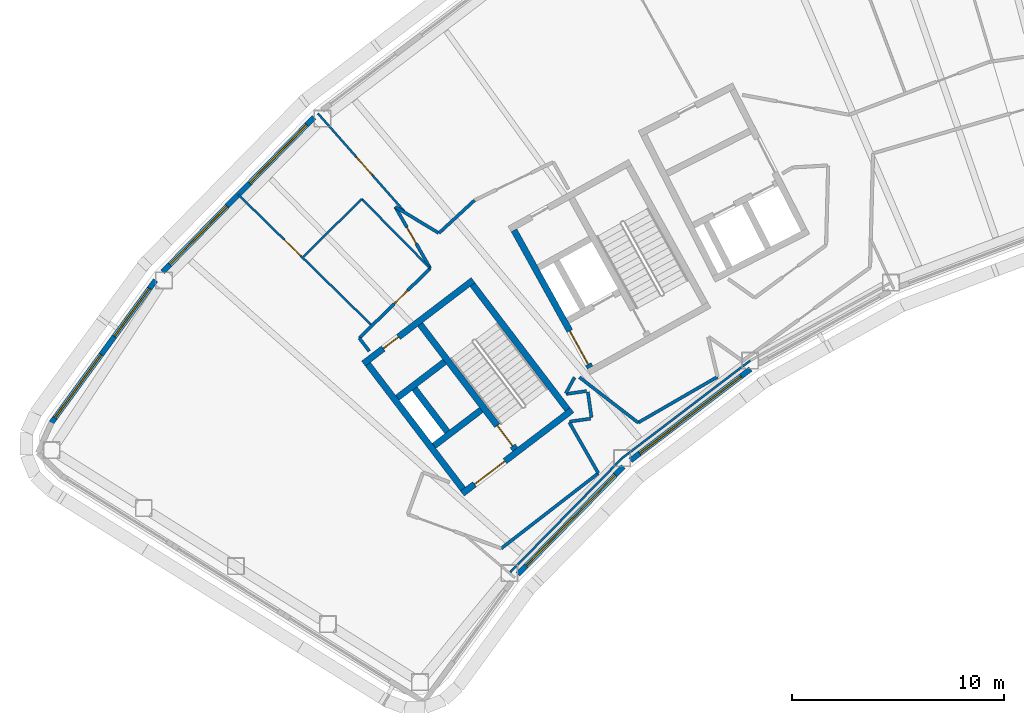
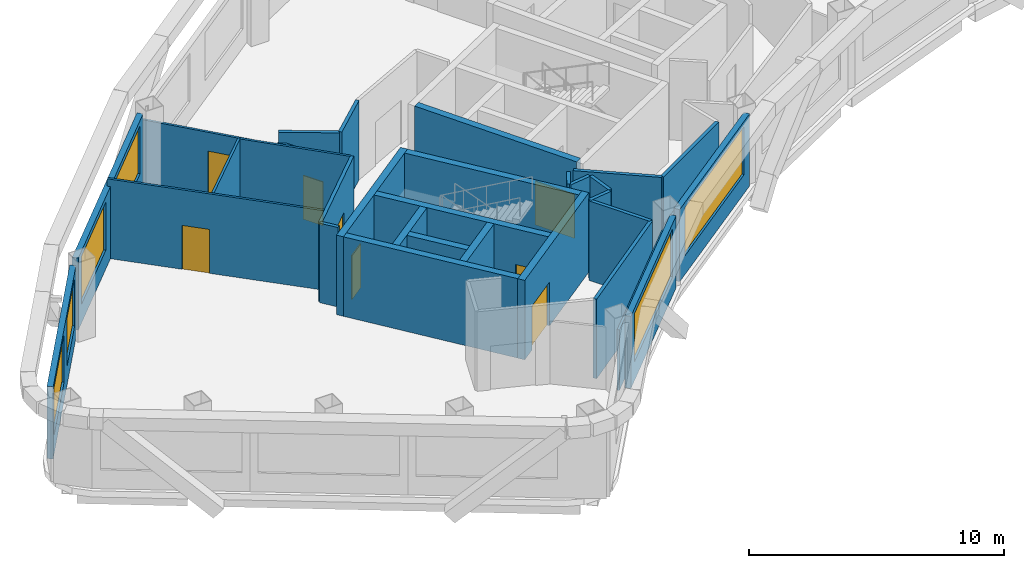
# One storey, part 5 of 18: 32 walls, 8 doors, 6 windows, 14 openings.
"""IFC4 building model written with IfcOpenShell, lengths in metres."""

from ifc_helpers import new_model, si_unit, direction, frame, frame_2d, origin, place, context, subcontext, project, spatial, rectangle, extrude, material, layer, layer_set, type_object, element, fill, save


model = new_model("IFC4")

# Units and contexts
model_context = context("Model", 3, precision=1e-05, world=origin(), true_north=direction((0.0, 1.0)))
body_context = subcontext(model_context, "Body", "Model", "MODEL_VIEW")
ifc_project = project(units=[si_unit("LENGTHUNIT", "METRE"), si_unit("AREAUNIT", "SQUARE_METRE"), si_unit("VOLUMEUNIT", "CUBIC_METRE"), si_unit("PLANEANGLEUNIT", "RADIAN"), si_unit("MASSUNIT", "GRAM", prefix="KILO")], contexts=[model_context])

# Site, building, storey
site_placement = place(None, origin())
site = spatial("IfcSite", under=ifc_project, at=site_placement, CompositionType="ELEMENT")
building_placement = place(site_placement, origin())
building = spatial("IfcBuilding", under=site, at=building_placement, Name="Tuul Gate Civic Tower", CompositionType="ELEMENT")
storey_placement = place(building_placement, frame((0.0, 0.0, 234.699951171875)))
storey = spatial("IfcBuildingStorey", under=building, at=storey_placement, Name="Level 53", CompositionType="ELEMENT", Elevation=234.699951171875)

# Wall, opening, door
ifc_material_1 = material(Name="Concrete C50/60", Category="concrete")
ifc_layer_1 = layer(ifc_material_1, 0.300048828125)
ifc_layer_set_1 = layer_set([ifc_layer_1], Name="Concrete C50/60")
wall_type_1 = type_object("IfcWallType", Name="Core wall C50/60", PredefinedType="SHEAR", material=ifc_layer_set_1)
wall_1_placement = place(storey_placement, frame((-31.19091796875, -13.669677734375, 0.0), z_axis=(0.0, 0.0, 1.0), x_axis=(-0.795606717756, -0.605813461934, 0.0)))
wall_1 = element("IfcWall", 1, at=wall_1_placement, inside=storey, type_object=wall_type_1, Name="Core wall", PredefinedType="SHEAR", context=body_context, shape_type="SweptSolid", body=[
    extrude(rectangle(XDim=6.5, YDim=0.300048828125, at=frame_2d((3.25, 0.0))), origin(), (0.0, 0.0, 1.0), 3.800048828125),
])
opening_1_placement = place(wall_1_placement, frame((3.97509765625, 0.0, 0.0)))
opening_1 = element("IfcOpeningElement", 2, at=opening_1_placement, cuts=wall_1, Name="Opening LB-W1-LOBBY-1", PredefinedType="OPENING", context=body_context, shape_type="SweptSolid", body=[
    extrude(rectangle(XDim=1.800048828125, YDim=2.10009765625, at=frame_2d((0.89990234375, 1.050048828125))), frame((0.0, 0.16015625, 0.0), z_axis=(0.0, -1.0, 0.0), x_axis=(1.0, 0.0, 0.0)), (0.0, 0.0, 1.0), 0.320068359375),
])
ifc_material_2 = material(Name="Steel", Category="steel")
door_type_1 = type_object("IfcDoorType", Name="Lobby door", OperationType="DOUBLE_DOOR_SINGLE_SWING", PredefinedType="DOOR", material=ifc_material_2)
door_1_placement = place(opening_1_placement, origin())
door_1 = element("IfcDoor", 3, at=door_1_placement, inside=storey, type_object=door_type_1, Name="Lobby door W1-LOBBY", OperationType="DOUBLE_DOOR_SINGLE_SWING", OverallHeight=2.10009765625, OverallWidth=1.800048828125, PredefinedType="DOOR", context=body_context, shape_type="SweptSolid", body=[
    extrude(rectangle(XDim=1.800048828125, YDim=2.10009765625, at=frame_2d((0.89990234375, 1.050048828125))), frame((0.0, 0.02490234375, 0.0), z_axis=(0.0, -1.0, 0.0), x_axis=(1.0, 0.0, 0.0)), (0.0, 0.0, 1.0), 0.050048828125),
])
fill(opening_1, door_1)

# Walls
wall_2_placement = place(storey_placement, frame((-35.470947265625, -13.66064453125, 0.0), z_axis=(0.0, 0.0, 1.0), x_axis=(-0.795615822227, -0.605801504968, 0.0)))
element("IfcWall", 4, at=wall_2_placement, inside=storey, type_object=wall_type_1, Name="Core wall", PredefinedType="SHEAR", context=body_context, shape_type="SweptSolid", body=[
    extrude(rectangle(XDim=2.800048828125, YDim=0.300048828125, at=frame_2d((1.39990234375, 0.0))), origin(), (0.0, 0.0, 1.0), 3.800048828125),
])
wall_3_placement = place(storey_placement, frame((-37.197509765625, -11.39306640625, 0.0), z_axis=(0.0, 0.0, 1.0), x_axis=(-0.795583820278, -0.605843531707, 0.0)))
element("IfcWall", 5, at=wall_3_placement, inside=storey, type_object=wall_type_1, Name="Core wall", PredefinedType="SHEAR", context=body_context, shape_type="SweptSolid", body=[
    extrude(rectangle(XDim=2.7998046875, YDim=0.300048828125, at=frame_2d((1.39990234375, 0.0))), origin(), (0.0, 0.0, 1.0), 3.800048828125),
])

# Wall, opening, door
wall_4_placement = place(storey_placement, frame((-35.855224609375, -7.543212890625, 0.0), z_axis=(0.0, 0.0, 1.0), x_axis=(-0.79563860527, -0.605771582202, 0.0)))
wall_4 = element("IfcWall", 6, at=wall_4_placement, inside=storey, type_object=wall_type_1, Name="Core wall", PredefinedType="SHEAR", context=body_context, shape_type="SweptSolid", body=[
    extrude(rectangle(XDim=6.5, YDim=0.300048828125, at=frame_2d((3.25, 0.0))), origin(), (0.0, 0.0, 1.0), 3.800048828125),
])
opening_2_placement = place(wall_4_placement, frame((4.425048828125, 0.0, 0.0)))
opening_2 = element("IfcOpeningElement", 7, at=opening_2_placement, cuts=wall_4, Name="Opening S-D31", PredefinedType="OPENING", context=body_context, shape_type="SweptSolid", body=[
    extrude(rectangle(XDim=0.89990234375, YDim=2.10009765625, at=frame_2d((0.449951171875, 1.050048828125))), frame((0.0, 0.16015625, 0.0), z_axis=(0.0, -1.0, 0.0), x_axis=(1.0, 0.0, 0.0)), (0.0, 0.0, 1.0), 0.320068359375),
])
ifc_material_3 = material(Name="Timber door leaf", Category="wood")
door_type_2 = type_object("IfcDoorType", Name="Door D09", OperationType="NOTDEFINED", PredefinedType="DOOR", material=ifc_material_3)
door_2_placement = place(opening_2_placement, origin())
door_2 = element("IfcDoor", 8, at=door_2_placement, inside=storey, type_object=door_type_2, Name="Door S-D31", OperationType="SINGLE_SWING_LEFT", OverallHeight=2.10009765625, OverallWidth=0.89990234375, PredefinedType="DOOR", context=body_context, shape_type="SweptSolid", body=[
    extrude(rectangle(XDim=0.89990234375, YDim=2.10009765625, at=frame_2d((0.449951171875, 1.050048828125))), frame((0.0, 0.02490234375, 0.0), z_axis=(0.0, -1.0, 0.0), x_axis=(1.0, 0.0, 0.0)), (0.0, 0.0, 1.0), 0.050048828125),
])
fill(opening_2, door_2)

# Wall
wall_5_placement = place(storey_placement, frame((-31.401123046875, -13.64111328125, 0.0), z_axis=(0.0, 0.0, 1.0), x_axis=(-0.605769822278, 0.795639945213, 0.0)))
element("IfcWall", 9, at=wall_5_placement, inside=storey, type_object=wall_type_1, Name="Core wall", PredefinedType="SHEAR", context=body_context, shape_type="SweptSolid", body=[
    extrude(rectangle(XDim=7.39990234375, YDim=0.300048828125, at=frame_2d((3.699951171875, 0.0))), origin(), (0.0, 0.0, 1.0), 3.800048828125),
])

# Wall, opening, door
wall_6_placement = place(storey_placement, frame((-33.867431640625, -15.51904296875, 0.0), z_axis=(0.0, 0.0, 1.0), x_axis=(-0.605769822278, 0.795639945213, 0.0)))
wall_6 = element("IfcWall", 10, at=wall_6_placement, inside=storey, type_object=wall_type_1, Name="Core wall", PredefinedType="SHEAR", context=body_context, shape_type="SweptSolid", body=[
    extrude(rectangle(XDim=7.39990234375, YDim=0.300048828125, at=frame_2d((3.699951171875, 0.0))), origin(), (0.0, 0.0, 1.0), 3.800048828125),
])
opening_3_placement = place(wall_6_placement, frame((0.199951171875, 0.0, 0.0)))
opening_3 = element("IfcOpeningElement", 11, at=opening_3_placement, cuts=wall_6, Name="Opening SD-ST-1", PredefinedType="OPENING", context=body_context, shape_type="SweptSolid", body=[
    extrude(rectangle(XDim=1.199951171875, YDim=2.10009765625, at=frame_2d((0.60009765625, 1.050048828125))), frame((0.0, 0.16015625, 0.0), z_axis=(0.0, -1.0, 0.0), x_axis=(1.0, 0.0, 0.0)), (0.0, 0.0, 1.0), 0.320068359375),
])
ifc_material_4 = material(Name="Steel", Category="steel")
door_type_3 = type_object("IfcDoorType", Name="Stair door", OperationType="NOTDEFINED", PredefinedType="DOOR", material=ifc_material_4)
door_3_placement = place(opening_3_placement, origin())
door_3 = element("IfcDoor", 12, at=door_3_placement, inside=storey, type_object=door_type_3, Name="Stair door ST-1", OperationType="SINGLE_SWING_LEFT", OverallHeight=2.10009765625, OverallWidth=1.199951171875, PredefinedType="DOOR", context=body_context, shape_type="SweptSolid", body=[
    extrude(rectangle(XDim=1.199951171875, YDim=2.10009765625, at=frame_2d((0.60009765625, 1.050048828125))), frame((0.0, 0.02490234375, 0.0), z_axis=(0.0, -1.0, 0.0), x_axis=(1.0, 0.0, 0.0)), (0.0, 0.0, 1.0), 0.050048828125),
])
fill(opening_3, door_3)

# Walls
wall_7_placement = place(storey_placement, frame((-37.073486328125, -14.6923828125, 0.0), z_axis=(0.0, 0.0, 1.0), x_axis=(-0.605728760074, 0.79567120673, 0.0)))
element("IfcWall", 13, at=wall_7_placement, inside=storey, type_object=wall_type_1, Name="Core wall", PredefinedType="SHEAR", context=body_context, shape_type="SweptSolid", body=[
    extrude(rectangle(XDim=2.550048828125, YDim=0.300048828125, at=frame_2d((1.27490234375, 0.0))), origin(), (0.0, 0.0, 1.0), 3.800048828125),
])
wall_8_placement = place(storey_placement, frame((-36.333984375, -17.397216796875, 0.0), z_axis=(0.0, 0.0, 1.0), x_axis=(-0.605753921168, 0.795652051458, 0.0)))
element("IfcWall", 14, at=wall_8_placement, inside=storey, type_object=wall_type_1, Name="Core wall", PredefinedType="SHEAR", context=body_context, shape_type="SweptSolid", body=[
    extrude(rectangle(XDim=7.400146484375, YDim=0.300048828125, at=frame_2d((3.7001953125, 0.0))), origin(), (0.0, 0.0, 1.0), 3.800048828125),
])

# Wall, opening, door
wall_9_placement = place(storey_placement, frame((-30.33837890625, -11.6630859375, 0.0), z_axis=(0.0, 0.0, 1.0), x_axis=(-0.484751894226, 0.874651702704, 0.0)))
wall_9 = element("IfcWall", 15, at=wall_9_placement, inside=storey, type_object=wall_type_1, Name="Core wall", PredefinedType="SHEAR", context=body_context, shape_type="SweptSolid", body=[
    extrude(rectangle(XDim=7.39990234375, YDim=0.300048828125, at=frame_2d((3.699951171875, 0.0))), origin(), (0.0, 0.0, 1.0), 3.800048828125),
])
opening_4_placement = place(wall_9_placement, frame((0.175048828125, 0.0, 0.0)))
opening_4 = element("IfcOpeningElement", 16, at=opening_4_placement, cuts=wall_9, Name="Opening LB-W2-FLOBBY-1", PredefinedType="OPENING", context=body_context, shape_type="SweptSolid", body=[
    extrude(rectangle(XDim=1.800048828125, YDim=2.10009765625, at=frame_2d((0.89990234375, 1.050048828125))), frame((0.0, 0.16015625, 0.0), z_axis=(0.0, -1.0, 0.0), x_axis=(1.0, 0.0, 0.0)), (0.0, 0.0, 1.0), 0.320068359375),
])
door_4_placement = place(opening_4_placement, frame((1.800048828125, 0.0, 0.0), z_axis=(0.0, 0.0, 1.0), x_axis=(-1.0, 0.0, 0.0)))
door_4 = element("IfcDoor", 17, at=door_4_placement, inside=storey, type_object=door_type_1, Name="Lobby door W2-FLOBBY", OperationType="DOUBLE_DOOR_SINGLE_SWING", OverallHeight=2.10009765625, OverallWidth=1.800048828125, PredefinedType="DOOR", context=body_context, shape_type="SweptSolid", body=[
    extrude(rectangle(XDim=1.800048828125, YDim=2.10009765625, at=frame_2d((0.900146484375, 1.050048828125))), frame((0.0, 0.02490234375, 0.0), z_axis=(0.0, -1.0, 0.0), x_axis=(1.0, 0.0, 0.0)), (0.0, 0.0, 1.0), 0.050048828125),
])
fill(opening_4, door_4)

# Walls
ifc_material_5 = material(Name="Gypsum board partition")
ifc_layer_2 = layer(ifc_material_5, 0.14990234375)
ifc_layer_set_2 = layer_set([ifc_layer_2], Name="Gypsum board partition")
wall_type_2 = type_object("IfcWallType", Name="Corridor wall P150", PredefinedType="PARTITIONING", material=ifc_layer_set_2)
wall_10_placement = place(storey_placement, frame((-39.526611328125, -4.085693359375, 0.0), z_axis=(0.0, 0.0, 1.0), x_axis=(0.856680038746, -0.515848147436, 0.0)))
element("IfcWall", 18, at=wall_10_placement, inside=storey, type_object=wall_type_2, Name="p046", PredefinedType="PARTITIONING", context=body_context, shape_type="SweptSolid", body=[
    extrude(rectangle(XDim=2.38818359375, YDim=0.14990234375, at=frame_2d((1.194091796875, 0.0))), origin(), (0.0, 0.0, 1.0), 3.800048828125),
])
wall_11_placement = place(storey_placement, frame((-37.460693359375, -5.318603515625, 0.0), z_axis=(0.0, 0.0, 1.0), x_axis=(0.735507081303, 0.677517035471, 0.0)))
element("IfcWall", 19, at=wall_11_placement, inside=storey, type_object=wall_type_2, Name="p050", PredefinedType="PARTITIONING", context=body_context, shape_type="SweptSolid", body=[
    extrude(rectangle(XDim=2.2734375, YDim=0.14990234375, at=frame_2d((1.13671875, 0.0))), origin(), (0.0, 0.0, 1.0), 3.800048828125),
])

# Wall, opening, door
wall_12_placement = place(storey_placement, frame((-41.219970703125, -10.2783203125, 0.0), z_axis=(0.0, 0.0, 1.0), x_axis=(0.711950782697, 0.702229366387, 0.0)))
wall_12 = element("IfcWall", 20, at=wall_12_placement, inside=storey, type_object=wall_type_2, Name="p054", PredefinedType="PARTITIONING", context=body_context, shape_type="SweptSolid", body=[
    extrude(rectangle(XDim=4.6962890625, YDim=0.14990234375, at=frame_2d((2.34814453125, 0.0))), origin(), (0.0, 0.0, 1.0), 3.800048828125),
])
opening_5_placement = place(wall_12_placement, frame((2.30908203125, 0.0, 0.0)))
opening_5 = element("IfcOpeningElement", 21, at=opening_5_placement, cuts=wall_12, Name="Opening S-D12", PredefinedType="OPENING", context=body_context, shape_type="SweptSolid", body=[
    extrude(rectangle(XDim=0.89990234375, YDim=2.10009765625, at=frame_2d((0.449951171875, 1.050048828125))), frame((0.0, 0.0849609375, 0.0), z_axis=(0.0, -1.0, 0.0), x_axis=(1.0, 0.0, 0.0)), (0.0, 0.0, 1.0), 0.169921875),
])
door_5_placement = place(opening_5_placement, origin())
door_5 = element("IfcDoor", 22, at=door_5_placement, inside=storey, type_object=door_type_2, Name="Door S-D12", OperationType="SINGLE_SWING_RIGHT", OverallHeight=2.10009765625, OverallWidth=0.89990234375, PredefinedType="DOOR", context=body_context, shape_type="SweptSolid", body=[
    extrude(rectangle(XDim=0.89990234375, YDim=2.10009765625, at=frame_2d((0.449951171875, 1.050048828125))), frame((0.0, 0.02490234375, 0.0), z_axis=(0.0, -1.0, 0.0), x_axis=(1.0, 0.0, 0.0)), (0.0, 0.0, 1.0), 0.050048828125),
])
fill(opening_5, door_5)

# Walls
wall_13_placement = place(storey_placement, frame((-41.219970703125, -10.2783203125, 0.0), z_axis=(0.0, 0.0, 1.0), x_axis=(0.606641841267, -0.794975267807, 0.0)))
element("IfcWall", 23, at=wall_13_placement, inside=storey, type_object=wall_type_2, Name="p058", PredefinedType="PARTITIONING", context=body_context, shape_type="SweptSolid", body=[
    extrude(rectangle(XDim=0.77392578125, YDim=0.14990234375, at=frame_2d((0.386962890625, 0.0))), origin(), (0.0, 0.0, 1.0), 3.800048828125),
])
wall_14_placement = place(storey_placement, frame((-34.52294921875, -20.193603515625, 0.0), z_axis=(0.0, 0.0, 1.0), x_axis=(0.790484502733, 0.61248204132, 0.0)))
element("IfcWall", 24, at=wall_14_placement, inside=storey, type_object=wall_type_2, Name="p074", PredefinedType="PARTITIONING", context=body_context, shape_type="SweptSolid", body=[
    extrude(rectangle(XDim=5.78662109375, YDim=0.14990234375, at=frame_2d((2.893310546875, 0.0))), origin(), (0.0, 0.0, 1.0), 3.800048828125),
])
wall_15_placement = place(storey_placement, frame((-31.3173828125, -14.24658203125, 0.0), z_axis=(0.0, 0.0, 1.0), x_axis=(0.495197044611, -0.868780689823, 0.0)))
element("IfcWall", 25, at=wall_15_placement, inside=storey, type_object=wall_type_2, Name="p075", PredefinedType="PARTITIONING", context=body_context, shape_type="SweptSolid", body=[
    extrude(rectangle(XDim=2.764404296875, YDim=0.14990234375, at=frame_2d((1.38232421875, 0.0))), origin(), (0.0, 0.0, 1.0), 3.800048828125),
])
wall_16_placement = place(storey_placement, frame((-31.302978515625, -14.216796875, 0.0), z_axis=(0.0, 0.0, 1.0), x_axis=(0.9896249399, 0.143674905004, 0.0)))
element("IfcWall", 26, at=wall_16_placement, inside=storey, type_object=wall_type_2, Name="p076", PredefinedType="PARTITIONING", context=body_context, shape_type="SweptSolid", body=[
    extrude(rectangle(XDim=1.0009765625, YDim=0.14990234375, at=frame_2d((0.50048828125, 0.0))), origin(), (0.0, 0.0, 1.0), 3.800048828125),
])
wall_17_placement = place(storey_placement, frame((-30.44482421875, -12.814208984375, 0.0), z_axis=(0.0, 0.0, 1.0), x_axis=(0.143925529439, -0.989588521546, 0.0)))
element("IfcWall", 27, at=wall_17_placement, inside=storey, type_object=wall_type_2, Name="p078", PredefinedType="PARTITIONING", context=body_context, shape_type="SweptSolid", body=[
    extrude(rectangle(XDim=1.214599609375, YDim=0.14990234375, at=frame_2d((0.607421875, 0.0))), origin(), (0.0, 0.0, 1.0), 3.800048828125),
])
wall_18_placement = place(storey_placement, frame((-31.463623046875, -12.91162109375, 0.0), z_axis=(0.0, 0.0, 1.0), x_axis=(0.98958969141, 0.143917485578, 0.0)))
element("IfcWall", 28, at=wall_18_placement, inside=storey, type_object=wall_type_2, Name="p079", PredefinedType="PARTITIONING", context=body_context, shape_type="SweptSolid", body=[
    extrude(rectangle(XDim=0.971923828125, YDim=0.14990234375, at=frame_2d((0.48583984375, 0.0))), origin(), (0.0, 0.0, 1.0), 3.800048828125),
])
wall_19_placement = place(storey_placement, frame((-31.484130859375, -12.882080078125, 0.0), z_axis=(0.0, 0.0, 1.0), x_axis=(0.480007286256, 0.877264501243, 0.0)))
element("IfcWall", 29, at=wall_19_placement, inside=storey, type_object=wall_type_2, Name="p080", PredefinedType="PARTITIONING", context=body_context, shape_type="SweptSolid", body=[
    extrude(rectangle(XDim=0.858642578125, YDim=0.14990234375, at=frame_2d((0.42919921875, 0.0))), origin(), (0.0, 0.0, 1.0), 3.800048828125),
])
wall_20_placement = place(storey_placement, frame((-30.842041015625, -12.1220703125, 0.0), z_axis=(0.0, 0.0, 1.0), x_axis=(0.791281934399, -0.611451470105, 0.0)))
element("IfcWall", 30, at=wall_20_placement, inside=storey, type_object=wall_type_2, Name="p081", PredefinedType="PARTITIONING", context=body_context, shape_type="SweptSolid", body=[
    extrude(rectangle(XDim=3.501220703125, YDim=0.14990234375, at=frame_2d((1.75048828125, 0.0))), origin(), (0.0, 0.0, 1.0), 3.800048828125),
])
wall_21_placement = place(storey_placement, frame((-28.0703125, -14.26318359375, 0.0), z_axis=(0.0, 0.0, 1.0), x_axis=(0.865925338949, 0.500173277341, 0.0)))
element("IfcWall", 31, at=wall_21_placement, inside=storey, type_object=wall_type_2, Name="p082", PredefinedType="PARTITIONING", context=body_context, shape_type="SweptSolid", body=[
    extrude(rectangle(XDim=4.328125, YDim=0.14990234375, at=frame_2d((2.1640625, 0.0))), origin(), (0.0, 0.0, 1.0), 3.800048828125),
])

# Wall, opening, door
ifc_material_6 = material(Name="Gypsum board partition")
ifc_layer_3 = layer(ifc_material_6, 0.14990234375)
ifc_layer_set_3 = layer_set([ifc_layer_3], Name="Gypsum board partition")
wall_type_3 = type_object("IfcWallType", Name="Corridor wall P150 3300 HIGH", PredefinedType="PARTITIONING", material=ifc_layer_set_3)
wall_22_placement = place(storey_placement, frame((-39.526611328125, -4.085693359375, 0.0), z_axis=(0.0, 0.0, 1.0), x_axis=(0.495231247876, -0.868761193382, 0.0)))
wall_22 = element("IfcWall", 32, at=wall_22_placement, inside=storey, type_object=wall_type_3, Name="p090", PredefinedType="PARTITIONING", context=body_context, shape_type="SweptSolid", body=[
    extrude(rectangle(XDim=3.33203125, YDim=0.14990234375, at=frame_2d((1.666015625, 0.0))), origin(), (0.0, 0.0, 1.0), 3.300048828125),
])
opening_6_placement = place(wall_22_placement, frame((1.115966796875, 0.0, 0.0)))
opening_6 = element("IfcOpeningElement", 33, at=opening_6_placement, cuts=wall_22, Name="Opening S-D181", PredefinedType="OPENING", context=body_context, shape_type="SweptSolid", body=[
    extrude(rectangle(XDim=0.89990234375, YDim=2.10009765625, at=frame_2d((0.449951171875, 1.050048828125))), frame((0.0, 0.0849609375, 0.0), z_axis=(0.0, -1.0, 0.0), x_axis=(1.0, 0.0, 0.0)), (0.0, 0.0, 1.0), 0.169921875),
])
door_6_placement = place(opening_6_placement, frame((0.89990234375, 0.0, 0.0), z_axis=(0.0, 0.0, 1.0), x_axis=(-1.0, 0.0, 0.0)))
door_6 = element("IfcDoor", 34, at=door_6_placement, inside=storey, type_object=door_type_2, Name="Door S-D18", OperationType="SINGLE_SWING_LEFT", OverallHeight=2.10009765625, OverallWidth=0.89990234375, PredefinedType="DOOR", context=body_context, shape_type="SweptSolid", body=[
    extrude(rectangle(XDim=0.89990234375, YDim=2.10009765625, at=frame_2d((0.449951171875, 1.050048828125))), frame((0.0, 0.02490234375, 0.0), z_axis=(0.0, -1.0, 0.0), x_axis=(1.0, 0.0, 0.0)), (0.0, 0.0, 1.0), 0.050048828125),
])
fill(opening_6, door_6)

# Wall, openings, windows
ifc_material_7 = material(Name="Precast concrete C40/50", Category="concrete")
ifc_layer_4 = layer(ifc_material_7, 0.25)
ifc_layer_set_4 = layer_set([ifc_layer_4], Name="Precast concrete C40/50")
wall_type_4 = type_object("IfcWallType", Name="External wall", PredefinedType="STANDARD", material=ifc_layer_set_4)
wall_23_placement = place(storey_placement, frame((-43.35791015625, 0.13037109375, 0.0), z_axis=(0.0, 0.0, 1.0), x_axis=(-0.700006760512, -0.714136216164, 0.0)))
wall_23 = element("IfcWall", 35, at=wall_23_placement, inside=storey, type_object=wall_type_4, Name="External wall", PredefinedType="STANDARD", context=body_context, shape_type="SweptSolid", body=[
    extrude(rectangle(XDim=10.194580078125, YDim=0.25, at=frame_2d((5.09716796875, 0.0))), origin(), (0.0, 0.0, 1.0), 3.449951171875),
])
opening_7_placement = place(wall_23_placement, frame((0.487548828125, 0.0, 0.89990234375)))
opening_7 = element("IfcOpeningElement", 36, at=opening_7_placement, cuts=wall_23, Name="Opening W22", PredefinedType="OPENING", context=body_context, shape_type="SweptSolid", body=[
    extrude(rectangle(XDim=3.85009765625, YDim=2.300048828125, at=frame_2d((1.925048828125, 1.14990234375))), frame((0.0, 0.135009765625, 0.0), z_axis=(0.0, -1.0, 0.0), x_axis=(1.0, 0.0, 0.0)), (0.0, 0.0, 1.0), 0.27001953125),
])
opening_8_placement = place(wall_23_placement, frame((5.85888671875, 0.0, 0.89990234375)))
opening_8 = element("IfcOpeningElement", 37, at=opening_8_placement, cuts=wall_23, Name="Opening W22", PredefinedType="OPENING", context=body_context, shape_type="SweptSolid", body=[
    extrude(rectangle(XDim=3.85009765625, YDim=2.300048828125, at=frame_2d((1.925048828125, 1.14990234375))), frame((0.0, 0.135009765625, 0.0), z_axis=(0.0, -1.0, 0.0), x_axis=(1.0, 0.0, 0.0)), (0.0, 0.0, 1.0), 0.27001953125),
])
ifc_material_8 = material(Name="Glass", Category="glass")
window_type_1 = type_object("IfcWindowType", Name="Window W22 3850 x 2300", PartitioningType="SINGLE_PANEL", PredefinedType="WINDOW", material=ifc_material_8)
window_1_placement = place(opening_7_placement, origin())
window_1 = element("IfcWindow", 38, at=window_1_placement, inside=storey, type_object=window_type_1, Name="Window", OverallHeight=2.300048828125, OverallWidth=3.85009765625, PartitioningType="SINGLE_PANEL", PredefinedType="WINDOW", context=body_context, shape_type="SweptSolid", body=[
    extrude(rectangle(XDim=3.85009765625, YDim=2.300048828125, at=frame_2d((1.925048828125, 1.14990234375))), frame((0.0, 0.030029296875, 0.0), z_axis=(0.0, -1.0, 0.0), x_axis=(1.0, 0.0, 0.0)), (0.0, 0.0, 1.0), 0.06005859375),
])
fill(opening_7, window_1)
window_2_placement = place(opening_8_placement, origin())
window_2 = element("IfcWindow", 39, at=window_2_placement, inside=storey, type_object=window_type_1, Name="Window", OverallHeight=2.300048828125, OverallWidth=3.85009765625, PartitioningType="SINGLE_PANEL", PredefinedType="WINDOW", context=body_context, shape_type="SweptSolid", body=[
    extrude(rectangle(XDim=3.85009765625, YDim=2.300048828125, at=frame_2d((1.925048828125, 1.14990234375))), frame((0.0, 0.030029296875, 0.0), z_axis=(0.0, -1.0, 0.0), x_axis=(1.0, 0.0, 0.0)), (0.0, 0.0, 1.0), 0.06005859375),
])
fill(opening_8, window_2)

wall_24_placement = place(storey_placement, frame((-50.83203125, -7.547607421875, 0.0), z_axis=(0.0, 0.0, 1.0), x_axis=(-0.589883690879, -0.807488223589, 0.0)))
wall_24 = element("IfcWall", 40, at=wall_24_placement, inside=storey, type_object=wall_type_4, Name="External wall", PredefinedType="STANDARD", context=body_context, shape_type="SweptSolid", body=[
    extrude(rectangle(XDim=8.337158203125, YDim=0.25, at=frame_2d((4.16845703125, 0.0))), origin(), (0.0, 0.0, 1.0), 3.449951171875),
])
opening_9_placement = place(wall_24_placement, frame((0.48486328125, 0.0, 0.89990234375)))
opening_9 = element("IfcOpeningElement", 41, at=opening_9_placement, cuts=wall_24, Name="Opening W23", PredefinedType="OPENING", context=body_context, shape_type="SweptSolid", body=[
    extrude(rectangle(XDim=2.800048828125, YDim=2.300048828125, at=frame_2d((1.39990234375, 1.14990234375))), frame((0.0, 0.135009765625, 0.0), z_axis=(0.0, -1.0, 0.0), x_axis=(1.0, 0.0, 0.0)), (0.0, 0.0, 1.0), 0.27001953125),
])
opening_10_placement = place(wall_24_placement, frame((4.33642578125, 0.0, 0.89990234375)))
opening_10 = element("IfcOpeningElement", 42, at=opening_10_placement, cuts=wall_24, Name="Opening W21", PredefinedType="OPENING", context=body_context, shape_type="SweptSolid", body=[
    extrude(rectangle(XDim=3.699951171875, YDim=2.300048828125, at=frame_2d((1.85009765625, 1.14990234375))), frame((0.0, 0.135009765625, 0.0), z_axis=(0.0, -1.0, 0.0), x_axis=(1.0, 0.0, 0.0)), (0.0, 0.0, 1.0), 0.27001953125),
])
ifc_material_9 = material(Name="Glass", Category="glass")
window_type_2 = type_object("IfcWindowType", Name="Window W21 3700 x 2300", PartitioningType="SINGLE_PANEL", PredefinedType="WINDOW", material=ifc_material_9)
window_3_placement = place(opening_10_placement, origin())
window_3 = element("IfcWindow", 43, at=window_3_placement, inside=storey, type_object=window_type_2, Name="Window", OverallHeight=2.300048828125, OverallWidth=3.699951171875, PartitioningType="SINGLE_PANEL", PredefinedType="WINDOW", context=body_context, shape_type="SweptSolid", body=[
    extrude(rectangle(XDim=3.699951171875, YDim=2.300048828125, at=frame_2d((1.85009765625, 1.14990234375))), frame((0.0, 0.030029296875, 0.0), z_axis=(0.0, -1.0, 0.0), x_axis=(1.0, 0.0, 0.0)), (0.0, 0.0, 1.0), 0.06005859375),
])
fill(opening_10, window_3)
ifc_material_10 = material(Name="Glass", Category="glass")
window_type_3 = type_object("IfcWindowType", Name="Window W23 2800 x 2300", PartitioningType="SINGLE_PANEL", PredefinedType="WINDOW", material=ifc_material_10)
window_4_placement = place(opening_9_placement, origin())
window_4 = element("IfcWindow", 44, at=window_4_placement, inside=storey, type_object=window_type_3, Name="Window", OverallHeight=2.300048828125, OverallWidth=2.800048828125, PartitioningType="SINGLE_PANEL", PredefinedType="WINDOW", context=body_context, shape_type="SweptSolid", body=[
    extrude(rectangle(XDim=2.800048828125, YDim=2.300048828125, at=frame_2d((1.39990234375, 1.14990234375))), frame((0.0, 0.030029296875, 0.0), z_axis=(0.0, -1.0, 0.0), x_axis=(1.0, 0.0, 0.0)), (0.0, 0.0, 1.0), 0.06005859375),
])
fill(opening_9, window_4)

# Wall, opening, window
wall_25_placement = place(storey_placement, frame((-33.740966796875, -21.415283203125, 0.0), z_axis=(0.0, 0.0, 1.0), x_axis=(0.700015105418, 0.714128036269, 0.0)))
wall_25 = element("IfcWall", 45, at=wall_25_placement, inside=storey, type_object=wall_type_4, Name="External wall", PredefinedType="STANDARD", context=body_context, shape_type="SweptSolid", body=[
    extrude(rectangle(XDim=7.10986328125, YDim=0.25, at=frame_2d((3.554931640625, 0.0))), origin(), (0.0, 0.0, 1.0), 3.449951171875),
])
opening_11_placement = place(wall_25_placement, frame((0.555908203125, 0.0, 0.89990234375)))
opening_11 = element("IfcOpeningElement", 46, at=opening_11_placement, cuts=wall_25, Name="Opening W26", PredefinedType="OPENING", context=body_context, shape_type="SweptSolid", body=[
    extrude(rectangle(XDim=6.0, YDim=2.300048828125, at=frame_2d((3.0, 1.14990234375))), frame((0.0, 0.135009765625, 0.0), z_axis=(0.0, -1.0, 0.0), x_axis=(1.0, 0.0, 0.0)), (0.0, 0.0, 1.0), 0.27001953125),
])
ifc_material_11 = material(Name="Glass", Category="glass")
window_type_4 = type_object("IfcWindowType", Name="Window W26 6000 x 2300", PartitioningType="SINGLE_PANEL", PredefinedType="WINDOW", material=ifc_material_11)
window_5_placement = place(opening_11_placement, origin())
window_5 = element("IfcWindow", 47, at=window_5_placement, inside=storey, type_object=window_type_4, Name="Window", OverallHeight=2.300048828125, OverallWidth=6.0, PartitioningType="SINGLE_PANEL", PredefinedType="WINDOW", context=body_context, shape_type="SweptSolid", body=[
    extrude(rectangle(XDim=6.0, YDim=2.300048828125, at=frame_2d((3.0, 1.14990234375))), frame((0.0, 0.030029296875, 0.0), z_axis=(0.0, -1.0, 0.0), x_axis=(1.0, 0.0, 0.0)), (0.0, 0.0, 1.0), 0.06005859375),
])
fill(opening_11, window_5)

wall_26_placement = place(storey_placement, frame((-28.427001953125, -16.0419921875, 0.0), z_axis=(0.0, 0.0, 1.0), x_axis=(0.795572946271, 0.60585781101, 0.0)))
wall_26 = element("IfcWall", 48, at=wall_26_placement, inside=storey, type_object=wall_type_4, Name="External wall", PredefinedType="STANDARD", context=body_context, shape_type="SweptSolid", body=[
    extrude(rectangle(XDim=7.102294921875, YDim=0.25, at=frame_2d((3.55126953125, 0.0))), origin(), (0.0, 0.0, 1.0), 3.449951171875),
])
opening_12_placement = place(wall_26_placement, frame((0.541259765625, 0.0, 0.89990234375)))
opening_12 = element("IfcOpeningElement", 49, at=opening_12_placement, cuts=wall_26, Name="Opening W26", PredefinedType="OPENING", context=body_context, shape_type="SweptSolid", body=[
    extrude(rectangle(XDim=6.0, YDim=2.300048828125, at=frame_2d((3.0, 1.14990234375))), frame((0.0, 0.135009765625, 0.0), z_axis=(0.0, -1.0, 0.0), x_axis=(1.0, 0.0, 0.0)), (0.0, 0.0, 1.0), 0.27001953125),
])
window_6_placement = place(opening_12_placement, origin())
window_6 = element("IfcWindow", 50, at=window_6_placement, inside=storey, type_object=window_type_4, Name="Window", OverallHeight=2.300048828125, OverallWidth=6.0, PartitioningType="SINGLE_PANEL", PredefinedType="WINDOW", context=body_context, shape_type="SweptSolid", body=[
    extrude(rectangle(XDim=6.0, YDim=2.300048828125, at=frame_2d((3.0, 1.14990234375))), frame((0.0, 0.030029296875, 0.0), z_axis=(0.0, -1.0, 0.0), x_axis=(1.0, 0.0, 0.0)), (0.0, 0.0, 1.0), 0.06005859375),
])
fill(opening_12, window_6)

# Wall, opening, door
ifc_material_12 = material(Name="Gypsum board partition")
ifc_layer_5 = layer(ifc_material_12, 0.10009765625)
ifc_layer_set_5 = layer_set([ifc_layer_5], Name="Gypsum board partition")
wall_type_5 = type_object("IfcWallType", Name="Partition P100", PredefinedType="PARTITIONING", material=ifc_layer_set_5)
wall_27_placement = place(storey_placement, frame((-46.930419921875, -3.507080078125, 0.0), z_axis=(0.0, 0.0, 1.0), x_axis=(0.714120525279, -0.700022767755, 0.0)))
wall_27 = element("IfcWall", 51, at=wall_27_placement, inside=storey, type_object=wall_type_5, Name="p052", PredefinedType="PARTITIONING", context=body_context, shape_type="SweptSolid", body=[
    extrude(rectangle(XDim=8.83203125, YDim=0.10009765625, at=frame_2d((4.416015625, 0.0))), origin(), (0.0, 0.0, 1.0), 3.800048828125),
])
opening_13_placement = place(wall_27_placement, frame((3.029052734375, 0.0, 0.0)))
opening_13 = element("IfcOpeningElement", 52, at=opening_13_placement, cuts=wall_27, Name="Opening S-D27", PredefinedType="OPENING", context=body_context, shape_type="SweptSolid", body=[
    extrude(rectangle(XDim=1.10009765625, YDim=2.10009765625, at=frame_2d((0.550048828125, 1.050048828125))), frame((0.0, 0.06005859375, 0.0), z_axis=(0.0, -1.0, 0.0), x_axis=(1.0, 0.0, 0.0)), (0.0, 0.0, 1.0), 0.1201171875),
])
ifc_material_13 = material(Name="Timber door leaf", Category="wood")
door_type_4 = type_object("IfcDoorType", Name="Door D11", OperationType="NOTDEFINED", PredefinedType="DOOR", material=ifc_material_13)
door_7_placement = place(opening_13_placement, origin())
door_7 = element("IfcDoor", 53, at=door_7_placement, inside=storey, type_object=door_type_4, Name="Door S-D27", OperationType="SINGLE_SWING_RIGHT", OverallHeight=2.10009765625, OverallWidth=1.10009765625, PredefinedType="DOOR", context=body_context, shape_type="SweptSolid", body=[
    extrude(rectangle(XDim=1.10009765625, YDim=2.10009765625, at=frame_2d((0.550048828125, 1.050048828125))), frame((0.0, 0.02490234375, 0.0), z_axis=(0.0, -1.0, 0.0), x_axis=(1.0, 0.0, 0.0)), (0.0, 0.0, 1.0), 0.050048828125),
])
fill(opening_13, door_7)

# Walls
wall_28_placement = place(storey_placement, frame((-43.854248046875, -6.4287109375, 0.0), z_axis=(0.0, 0.0, 1.0), x_axis=(0.711925754764, 0.702254739894, 0.0)))
element("IfcWall", 54, at=wall_28_placement, inside=storey, type_object=wall_type_5, Name="p055", PredefinedType="PARTITIONING", context=body_context, shape_type="SweptSolid", body=[
    extrude(rectangle(XDim=3.8623046875, YDim=0.10009765625, at=frame_2d((1.93115234375, 0.0))), origin(), (0.0, 0.0, 1.0), 3.800048828125),
])
wall_29_placement = place(storey_placement, frame((-41.1044921875, -3.71630859375, 0.0), z_axis=(0.0, 0.0, 1.0), x_axis=(0.702140643984, -0.712038282725, 0.0)))
element("IfcWall", 55, at=wall_29_placement, inside=storey, type_object=wall_type_5, Name="p056", PredefinedType="PARTITIONING", context=body_context, shape_type="SweptSolid", body=[
    extrude(rectangle(XDim=4.53857421875, YDim=0.10009765625, at=frame_2d((2.269287109375, 0.0))), origin(), (0.0, 0.0, 1.0), 3.800048828125),
])
ifc_material_14 = material(Name="Gypsum board partition")
ifc_layer_6 = layer(ifc_material_14, 0.10009765625)
ifc_layer_set_6 = layer_set([ifc_layer_6], Name="Gypsum board partition")
wall_type_6 = type_object("IfcWallType", Name="Partition P100 2900 HIGH", PredefinedType="PARTITIONING", material=ifc_layer_set_6)
wall_30_placement = place(storey_placement, frame((-22.78662109375, -11.338134765625, 0.0), z_axis=(0.0, 0.0, 1.0), x_axis=(-0.795567531379, -0.605864921427, 0.0)))
element("IfcWall", 56, at=wall_30_placement, inside=storey, type_object=wall_type_6, Name="p093", PredefinedType="PARTITIONING", context=body_context, shape_type="SweptSolid", body=[
    extrude(rectangle(XDim=7.591796875, YDim=0.10009765625, at=frame_2d((3.7958984375, 0.0))), origin(), (0.0, 0.0, 1.0), 2.900146484375),
])
wall_31_placement = place(storey_placement, frame((-28.826416015625, -15.937744140625, 0.0), z_axis=(0.0, 0.0, 1.0), x_axis=(-0.700045367666, -0.714098370821, 0.0)))
element("IfcWall", 57, at=wall_31_placement, inside=storey, type_object=wall_type_6, Name="p094", PredefinedType="PARTITIONING", context=body_context, shape_type="SweptSolid", body=[
    extrude(rectangle(XDim=7.592041015625, YDim=0.10009765625, at=frame_2d((3.7958984375, 0.0))), origin(), (0.0, 0.0, 1.0), 2.900146484375),
])

# Wall, opening, door
ifc_material_15 = material(Name="Gypsum board partition")
ifc_layer_7 = layer(ifc_material_15, 0.10009765625)
ifc_layer_set_7 = layer_set([ifc_layer_7], Name="Gypsum board partition")
wall_type_7 = type_object("IfcWallType", Name="Partition P100 3000 HIGH", PredefinedType="PARTITIONING", material=ifc_layer_set_7)
wall_32_placement = place(storey_placement, frame((-43.1767578125, 0.322509765625, 0.0), z_axis=(0.0, 0.0, 1.0), x_axis=(0.66168581223, -0.749781225354, 0.0)))
wall_32 = element("IfcWall", 58, at=wall_32_placement, inside=storey, type_object=wall_type_7, Name="p051", PredefinedType="PARTITIONING", context=body_context, shape_type="SweptSolid", body=[
    extrude(rectangle(XDim=6.291015625, YDim=0.10009765625, at=frame_2d((3.1455078125, 0.0))), origin(), (0.0, 0.0, 1.0), 3.0),
])
opening_14_placement = place(wall_32_placement, frame((2.760986328125, 0.0, 0.0)))
opening_14 = element("IfcOpeningElement", 59, at=opening_14_placement, cuts=wall_32, Name="Opening S-D30", PredefinedType="OPENING", context=body_context, shape_type="SweptSolid", body=[
    extrude(rectangle(XDim=1.10009765625, YDim=2.10009765625, at=frame_2d((0.550048828125, 1.050048828125))), frame((0.0, 0.06005859375, 0.0), z_axis=(0.0, -1.0, 0.0), x_axis=(1.0, 0.0, 0.0)), (0.0, 0.0, 1.0), 0.1201171875),
])
door_8_placement = place(opening_14_placement, frame((1.10009765625, 0.0, 0.0), z_axis=(0.0, 0.0, 1.0), x_axis=(-1.0, 0.0, 0.0)))
door_8 = element("IfcDoor", 60, at=door_8_placement, inside=storey, type_object=door_type_4, Name="Door S-D30", OperationType="SINGLE_SWING_LEFT", OverallHeight=2.10009765625, OverallWidth=1.10009765625, PredefinedType="DOOR", context=body_context, shape_type="SweptSolid", body=[
    extrude(rectangle(XDim=1.10009765625, YDim=2.10009765625, at=frame_2d((0.550048828125, 1.050048828125))), frame((0.0, 0.02490234375, 0.0), z_axis=(0.0, -1.0, 0.0), x_axis=(1.0, 0.0, 0.0)), (0.0, 0.0, 1.0), 0.050048828125),
])
fill(opening_14, door_8)

save(model, "model.ifc")
